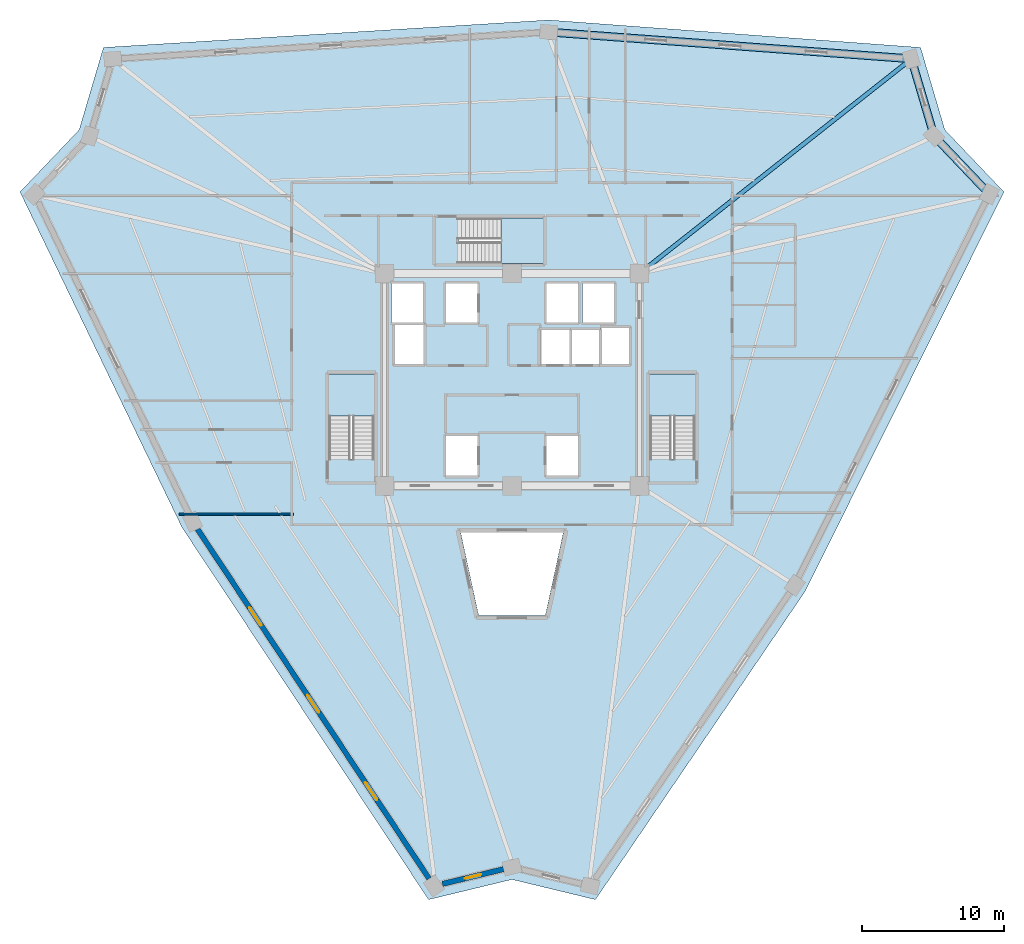
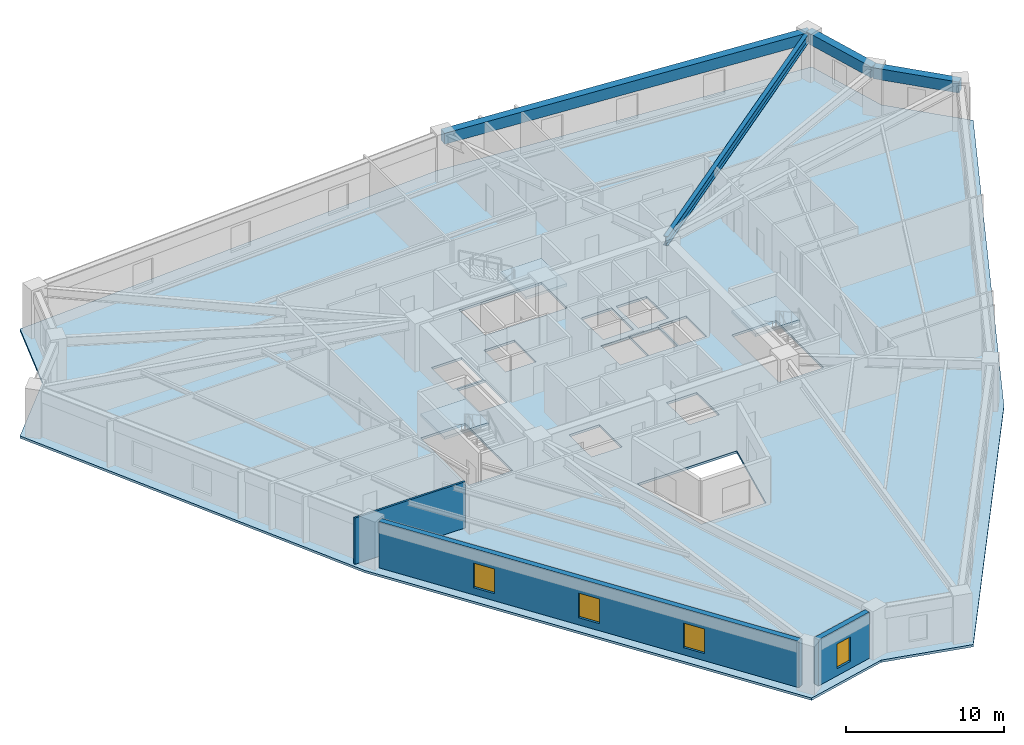
# One storey, part 2 of 8: 4 beams, 4 slabs, 4 windows, 3 walls, 4 openings, 3 elements without a shape of their own.
"""IFC4 building model written with IfcOpenShell, lengths in metres."""

from ifc_helpers import new_model, si_unit, direction, frame, frame_2d, origin, origin_2d, place, context, subcontext, project, spatial, polyline, rectangle, i_section, outline, extrude, source, transform, mapped, material, layer, layer_set, material_profile, profile_set, type_object, element, fill, aggregate, save


model = new_model("IFC4")

# Units and contexts
model_context = context("Model", 3, precision=1e-05, world=origin(), true_north=direction((0.0, 1.0)))
body_context = subcontext(model_context, "Body", "Model", "MODEL_VIEW")
ifc_project = project(units=[si_unit("LENGTHUNIT", "METRE"), si_unit("AREAUNIT", "SQUARE_METRE"), si_unit("VOLUMEUNIT", "CUBIC_METRE"), si_unit("PLANEANGLEUNIT", "RADIAN"), si_unit("MASSUNIT", "GRAM", prefix="KILO")], contexts=[model_context])

# Site, building, storey
site_placement = place(None, origin())
site = spatial("IfcSite", under=ifc_project, at=site_placement, CompositionType="ELEMENT")
building_placement = place(site_placement, origin())
building = spatial("IfcBuilding", under=site, at=building_placement, Name="Liaohun Quay Tower", CompositionType="ELEMENT")
storey_placement = place(building_placement, frame((0.0, 0.0, 209.25)))
storey = spatial("IfcBuildingStorey", under=building, at=storey_placement, Name="L54", CompositionType="ELEMENT", Elevation=209.25)

# Beams
ifc_material_1 = material(Name="Precast concrete C50", Category="concrete")
ifc_material_profile_1 = material_profile(ifc_material_1, rectangle(XDim=0.550048828125, YDim=0.85009765625, at=origin_2d()), Name="RC550x850")
ifc_profile_set_1 = profile_set([ifc_material_profile_1], Name="Precast concrete C50")
beam_type_1 = type_object("IfcBeamType", Name="BM-SPD-Z3", PredefinedType="SPANDREL", material=ifc_profile_set_1)
shared_shape_1 = source(origin(), body_context, "Body", "SweptSolid", [
    extrude(rectangle(XDim=0.550048828125, YDim=0.85009765625, at=origin_2d()), origin(), (0.0, 0.0, 1.0), 25.69482421875),
])
beam_1_placement = place(storey_placement, frame((62.593017578125, 78.56201171875, 3.14501953125), z_axis=(0.997285096748, -0.073637190356, 0.0), x_axis=(0.073637190356, 0.997285096748, 0.0)))
element("IfcBeam", 1, at=beam_1_placement, inside=storey, type_object=beam_type_1, Name="L54 Precast Spandrel Beam PC06-PC07", PredefinedType="SPANDREL", context=body_context, shape_type="MappedRepresentation", body=[
    mapped(shared_shape_1, transform((0.0, 0.0, 0.0), x_axis=(1.0, 0.0, 0.0), y_axis=(0.0, 1.0, 0.0), z_axis=(0.0, 0.0, 1.0), scale=1.0)),
])
shared_shape_2 = source(origin(), body_context, "Body", "SweptSolid", [
    extrude(rectangle(XDim=0.550048828125, YDim=0.85009765625, at=origin_2d()), origin(), (0.0, 0.0, 1.0), 5.6826171875),
])
beam_2_placement = place(storey_placement, frame((88.218017578125, 76.669921875, 3.14501953125), z_axis=(0.282610563915, -0.959234731004, 0.0), x_axis=(0.959234731004, 0.282610563915, 0.0)))
element("IfcBeam", 2, at=beam_2_placement, inside=storey, type_object=beam_type_1, Name="L54 Precast Spandrel Beam PC07-PC08", PredefinedType="SPANDREL", context=body_context, shape_type="MappedRepresentation", body=[
    mapped(shared_shape_2, transform((0.0, 0.0, 0.0), x_axis=(1.0, 0.0, 0.0), y_axis=(0.0, 1.0, 0.0), z_axis=(0.0, 0.0, 1.0), scale=1.0)),
])
shared_shape_3 = source(origin(), body_context, "Body", "SweptSolid", [
    extrude(rectangle(XDim=0.550048828125, YDim=0.85009765625, at=origin_2d()), origin(), (0.0, 0.0, 1.0), 5.67431640625),
])
beam_3_placement = place(storey_placement, frame((89.823974609375, 71.218994140625, 3.14501953125), z_axis=(0.68944456778, -0.724338448488, 0.0), x_axis=(0.724338448488, 0.68944456778, 0.0)))
element("IfcBeam", 3, at=beam_3_placement, inside=storey, type_object=beam_type_1, Name="L54 Precast Spandrel Beam PC08-PC09", PredefinedType="SPANDREL", context=body_context, shape_type="MappedRepresentation", body=[
    mapped(shared_shape_3, transform((0.0, 0.0, 0.0), x_axis=(1.0, 0.0, 0.0), y_axis=(0.0, 1.0, 0.0), z_axis=(0.0, 0.0, 1.0), scale=1.0)),
])
ifc_material_2 = material(Name="Steel Q355D", Category="steel")
ifc_material_profile_2 = material_profile(ifc_material_2, i_section(OverallWidth=0.300048828125, OverallDepth=0.699951171875, WebThickness=0.012939453125, FlangeThickness=0.02392578125, at=origin_2d()), Name="HN700x300x13x24")
ifc_profile_set_2 = profile_set([ifc_material_profile_2], Name="Steel Q355D")
beam_type_2 = type_object("IfcBeamType", Name="BM-RAD-U1", PredefinedType="BEAM", material=ifc_profile_set_2)
shared_shape_4 = source(origin(), body_context, "Body", "SweptSolid", [
    extrude(i_section(OverallWidth=0.300048828125, OverallDepth=0.699951171875, WebThickness=0.012939453125, FlangeThickness=0.02392578125, at=origin_2d()), origin(), (0.0, 0.0, 1.0), 24.138427734375),
])
beam_4_placement = place(storey_placement, frame((69.0, 61.5, 3.219970703125), z_axis=(0.785055677777, 0.619425203547, 0.0), x_axis=(-0.619425203547, 0.785055677777, 0.0)))
element("IfcBeam", 4, at=beam_4_placement, inside=storey, type_object=beam_type_2, Name="L54 Radial Primary Girder CC4-PC07", PredefinedType="BEAM", context=body_context, shape_type="MappedRepresentation", body=[
    mapped(shared_shape_4, transform((0.0, 0.0, 0.0), x_axis=(1.0, 0.0, 0.0), y_axis=(0.0, 1.0, 0.0), z_axis=(0.0, 0.0, 1.0), scale=1.0)),
])

# Stair, slab
ifc_material_3 = material(Name="Concrete C45", Category="concrete")
stair_type = type_object("IfcStairType", Name="STR-CORE-OFF", PredefinedType="HALF_TURN_STAIR", material=ifc_material_3)
stair_1_placement = place(storey_placement, origin())
stair_1 = element("IfcStair", 5, at=stair_1_placement, inside=storey, type_object=stair_type, Name="L54 Smokeproof Core Exit Stair ST-1", PredefinedType="HALF_TURN_STAIR")
ifc_layer_1 = layer(ifc_material_3, 0.199951171875, Name="Concrete C45", Category="concrete")
ifc_layer_set_1 = layer_set([ifc_layer_1], Name="Concrete C45")
slab_type_1 = type_object("IfcSlabType", Name="SLB-LND-200", PredefinedType="LANDING", material=ifc_layer_set_1)
slab_1_placement = place(storey_placement, frame((0.0, 0.0, 1.675048828125)))
slab_1 = element("IfcSlab", 6, at=slab_1_placement, type_object=slab_type_1, Name="ST-1 landing 1", PredefinedType="LANDING", context=body_context, shape_type="SweptSolid", body=[
    extrude(outline(polyline([(50.280029296875, 51.429931640625), (50.280029296875, 54.419921875), (47.0400390625, 54.419921875), (47.0400390625, 51.429931640625), (50.280029296875, 51.429931640625)])), origin(), (0.0, 0.0, 1.0), 0.199951171875),
])
aggregate(stair_1, [slab_1])

stair_2_placement = place(storey_placement, origin())
stair_2 = element("IfcStair", 7, at=stair_2_placement, inside=storey, type_object=stair_type, Name="L54 Smokeproof Core Exit Stair ST-2", PredefinedType="HALF_TURN_STAIR")
slab_2_placement = place(storey_placement, frame((0.0, 0.0, 1.675048828125)))
slab_2 = element("IfcSlab", 8, at=slab_2_placement, type_object=slab_type_1, Name="ST-2 landing 1", PredefinedType="LANDING", context=body_context, shape_type="SweptSolid", body=[
    extrude(outline(polyline([(72.9599609375, 51.429931640625), (72.9599609375, 54.419921875), (69.719970703125, 54.419921875), (69.719970703125, 51.429931640625), (72.9599609375, 51.429931640625)])), origin(), (0.0, 0.0, 1.0), 0.199951171875),
])
aggregate(stair_2, [slab_2])

stair_3_placement = place(storey_placement, origin())
stair_3 = element("IfcStair", 9, at=stair_3_placement, inside=storey, type_object=stair_type, Name="L54 Smokeproof Core Exit Stair ST-3", PredefinedType="HALF_TURN_STAIR")
slab_3_placement = place(storey_placement, frame((0.0, 0.0, 1.675048828125)))
slab_3 = element("IfcSlab", 10, at=slab_3_placement, type_object=slab_type_1, Name="ST-3 landing 1", PredefinedType="LANDING", context=body_context, shape_type="SweptSolid", body=[
    extrude(outline(polyline([(59.22998046875, 62.199951171875), (62.219970703125, 62.199951171875), (62.219970703125, 65.43994140625), (59.22998046875, 65.43994140625), (59.22998046875, 62.199951171875)])), origin(), (0.0, 0.0, 1.0), 0.199951171875),
])
aggregate(stair_3, [slab_3])

# Slab
ifc_layer_2 = layer(ifc_material_3, 0.179931640625, Name="Concrete C45", Category="concrete")
ifc_layer_set_2 = layer_set([ifc_layer_2], Name="Concrete C45")
slab_type_2 = type_object("IfcSlabType", Name="SLB-OFF-180", PredefinedType="FLOOR", material=ifc_layer_set_2)
slab_4_placement = place(storey_placement, frame((0.0, 0.0, -0.179931640625)))
element("IfcSlab", 11, at=slab_4_placement, inside=storey, type_object=slab_type_2, Name="L54 Structural Floor Slab", PredefinedType="FLOOR", context=body_context, shape_type="SweptSolid", body=[
    extrude(outline(polyline([(54.10498046875, 17.263916015625), (60.0, 18.68798828125), (65.89501953125, 17.263916015625), (80.7099609375, 39.04296875), (94.761962890625, 67.262939453125), (90.5810546875, 71.656005859375), (88.866943359375, 77.47412109375), (62.597900390625, 79.4140625), (31.133056640625, 77.47412109375), (29.4189453125, 71.656005859375), (25.238037109375, 67.262939453125), (36.69189453125, 43.54296875), (54.10498046875, 17.263916015625)]), holes=[polyline([(63.625, 43.199951171875), (56.375, 43.199951171875), (57.64404296875, 37.33203125), (62.35595703125, 37.33203125), (63.625, 43.199951171875)]), polyline([(57.56005859375, 47.2099609375), (57.56005859375, 50.030029296875), (55.340087890625, 50.030029296875), (55.340087890625, 47.2099609375), (57.56005859375, 47.2099609375)]), polyline([(50.280029296875, 54.419921875), (47.0400390625, 54.419921875), (47.0400390625, 48.409912109375), (50.280029296875, 48.409912109375), (50.280029296875, 54.419921875)]), polyline([(53.760009765625, 55.090087890625), (53.760009765625, 57.909912109375), (51.7099609375, 57.909912109375), (51.7099609375, 55.090087890625), (53.760009765625, 55.090087890625)]), polyline([(53.7099609375, 58.0400390625), (53.7099609375, 60.7900390625), (51.489990234375, 60.7900390625), (51.489990234375, 58.0400390625), (53.7099609375, 58.0400390625)]), polyline([(57.56005859375, 58.0400390625), (57.56005859375, 60.7900390625), (55.340087890625, 60.7900390625), (55.340087890625, 58.0400390625), (57.56005859375, 58.0400390625)]), polyline([(62.219970703125, 62.199951171875), (62.219970703125, 65.43994140625), (56.2099609375, 65.43994140625), (56.2099609375, 62.199951171875), (62.219970703125, 62.199951171875)]), polyline([(64.659912109375, 50.030029296875), (62.43994140625, 50.030029296875), (62.43994140625, 47.2099609375), (64.659912109375, 47.2099609375), (64.659912109375, 50.030029296875)]), polyline([(72.9599609375, 54.419921875), (69.719970703125, 54.419921875), (69.719970703125, 48.409912109375), (72.9599609375, 48.409912109375), (72.9599609375, 54.419921875)]), polyline([(64.06005859375, 55.090087890625), (64.06005859375, 57.510009765625), (61.989990234375, 57.510009765625), (61.989990234375, 55.090087890625), (64.06005859375, 55.090087890625)]), polyline([(66.159912109375, 55.090087890625), (66.159912109375, 57.510009765625), (64.090087890625, 57.510009765625), (64.090087890625, 55.090087890625), (66.159912109375, 55.090087890625)]), polyline([(68.2900390625, 55.090087890625), (68.2900390625, 57.659912109375), (66.2900390625, 57.659912109375), (66.2900390625, 55.090087890625), (68.2900390625, 55.090087890625)]), polyline([(64.659912109375, 58.0400390625), (64.659912109375, 60.7900390625), (62.43994140625, 60.7900390625), (62.43994140625, 58.0400390625), (64.659912109375, 58.0400390625)]), polyline([(67.2099609375, 58.0400390625), (67.2099609375, 60.7900390625), (64.989990234375, 60.7900390625), (64.989990234375, 58.0400390625), (67.2099609375, 58.0400390625)])]), origin(), (0.0, 0.0, 1.0), 0.179931640625),
])

# Wall, openings, windows
ifc_material_4 = material(Name="Precast concrete C50 insulated sandwich", Category="concrete")
ifc_layer_3 = layer(ifc_material_4, 0.3798828125, Name="Precast concrete C50 insulated sandwich", Category="concrete")
ifc_layer_set_3 = layer_set([ifc_layer_3], Name="Precast concrete C50 insulated sandwich")
wall_type_1 = type_object("IfcWallType", Name="WAL-EXT-Z34", PredefinedType="SOLIDWALL", material=ifc_layer_set_3)
wall_1_placement = place(storey_placement, frame((37.77197265625, 43.450927734375, 0.0), z_axis=(0.0, 0.0, 1.0), x_axis=(0.552363814136, -0.833603153085, 0.0)))
wall_1 = element("IfcWall", 12, at=wall_1_placement, inside=storey, type_object=wall_type_1, Name="L54 Brutalist Precast Pier Wall 11", PredefinedType="SOLIDWALL", context=body_context, shape_type="SweptSolid", body=[
    extrude(rectangle(XDim=29.639892578125, YDim=0.3798828125, at=frame_2d((14.81982421875, 0.0))), origin(), (0.0, 0.0, 1.0), 3.570068359375),
])
shared_shape_5 = source(origin(), body_context, "Body", "SweptSolid", [
    extrude(rectangle(XDim=1.5, YDim=1.89990234375, at=frame_2d((0.75, 0.949951171875))), frame((0.0, 0.199951171875, 0.0), z_axis=(0.0, -1.0, 0.0), x_axis=(1.0, 0.0, 0.0)), (0.0, 0.0, 1.0), 0.39990234375),
])
opening_1_placement = place(wall_1_placement, frame((6.659912109375, 0.0, 0.550048828125)))
opening_1 = element("IfcOpeningElement", 13, at=opening_1_placement, cuts=wall_1, Name="Opening W03", PredefinedType="OPENING", context=body_context, shape_type="MappedRepresentation", body=[
    mapped(shared_shape_5, transform((0.0, 0.0, 0.0), x_axis=(1.0, 0.0, 0.0), y_axis=(0.0, 1.0, 0.0), z_axis=(0.0, 0.0, 1.0), scale=1.0)),
])
opening_2_placement = place(wall_1_placement, frame((14.070068359375, 0.0, 0.550048828125)))
opening_2 = element("IfcOpeningElement", 14, at=opening_2_placement, cuts=wall_1, Name="Opening W03", PredefinedType="OPENING", context=body_context, shape_type="MappedRepresentation", body=[
    mapped(shared_shape_5, transform((0.0, 0.0, 0.0), x_axis=(1.0, 0.0, 0.0), y_axis=(0.0, 1.0, 0.0), z_axis=(0.0, 0.0, 1.0), scale=1.0)),
])
opening_3_placement = place(wall_1_placement, frame((21.47998046875, 0.0, 0.550048828125)))
opening_3 = element("IfcOpeningElement", 15, at=opening_3_placement, cuts=wall_1, Name="Opening W03", PredefinedType="OPENING", context=body_context, shape_type="MappedRepresentation", body=[
    mapped(shared_shape_5, transform((0.0, 0.0, 0.0), x_axis=(1.0, 0.0, 0.0), y_axis=(0.0, 1.0, 0.0), z_axis=(0.0, 0.0, 1.0), scale=1.0)),
])
ifc_material_5 = material(Name="Triple Low-E argon glazing in thermally broken aluminium", Category="aluminium")
window_type_1 = type_object("IfcWindowType", Name="WIN-PUN-Z3", PartitioningType="DOUBLE_PANEL_VERTICAL", PredefinedType="WINDOW", material=ifc_material_5)
shared_shape_6 = source(origin(), body_context, "Body", "SweptSolid", [
    extrude(rectangle(XDim=1.5, YDim=1.89990234375, at=frame_2d((0.75, 0.949951171875))), frame((0.0, 0.030029296875, 0.0), z_axis=(0.0, -1.0, 0.0), x_axis=(1.0, 0.0, 0.0)), (0.0, 0.0, 1.0), 0.06005859375),
])
window_1_placement = place(opening_1_placement, origin())
window_1 = element("IfcWindow", 16, at=window_1_placement, inside=storey, type_object=window_type_1, Name="L54 Recessed Cold-Climate Punched Window 11-1", OverallHeight=1.89990234375, OverallWidth=1.5, PartitioningType="DOUBLE_PANEL_VERTICAL", PredefinedType="WINDOW", context=body_context, shape_type="MappedRepresentation", body=[
    mapped(shared_shape_6, transform((0.0, 0.0, 0.0), x_axis=(1.0, 0.0, 0.0), y_axis=(0.0, 1.0, 0.0), z_axis=(0.0, 0.0, 1.0), scale=1.0)),
])
fill(opening_1, window_1)
window_2_placement = place(opening_2_placement, origin())
window_2 = element("IfcWindow", 17, at=window_2_placement, inside=storey, type_object=window_type_1, Name="L54 Recessed Cold-Climate Punched Window 11-2", OverallHeight=1.89990234375, OverallWidth=1.5, PartitioningType="DOUBLE_PANEL_VERTICAL", PredefinedType="WINDOW", context=body_context, shape_type="MappedRepresentation", body=[
    mapped(shared_shape_6, transform((0.0, 0.0, 0.0), x_axis=(1.0, 0.0, 0.0), y_axis=(0.0, 1.0, 0.0), z_axis=(0.0, 0.0, 1.0), scale=1.0)),
])
fill(opening_2, window_2)
window_3_placement = place(opening_3_placement, origin())
window_3 = element("IfcWindow", 18, at=window_3_placement, inside=storey, type_object=window_type_1, Name="L54 Recessed Cold-Climate Punched Window 11-3", OverallHeight=1.89990234375, OverallWidth=1.5, PartitioningType="DOUBLE_PANEL_VERTICAL", PredefinedType="WINDOW", context=body_context, shape_type="MappedRepresentation", body=[
    mapped(shared_shape_6, transform((0.0, 0.0, 0.0), x_axis=(1.0, 0.0, 0.0), y_axis=(0.0, 1.0, 0.0), z_axis=(0.0, 0.0, 1.0), scale=1.0)),
])
fill(opening_3, window_3)

# Wall, opening, window
wall_2_placement = place(storey_placement, frame((55.08203125, 18.3740234375, 0.0), z_axis=(0.0, 0.0, 1.0), x_axis=(0.972022121838, 0.234889324271, 0.0)))
wall_2 = element("IfcWall", 19, at=wall_2_placement, inside=storey, type_object=wall_type_1, Name="L54 Brutalist Precast Pier Wall 12", PredefinedType="SOLIDWALL", context=body_context, shape_type="SweptSolid", body=[
    extrude(rectangle(XDim=4.4443359375, YDim=0.3798828125, at=frame_2d((2.22216796875, 0.0))), origin(), (0.0, 0.0, 1.0), 3.570068359375),
])
shared_shape_7 = source(origin(), body_context, "Body", "SweptSolid", [
    extrude(rectangle(XDim=1.199951171875, YDim=1.89990234375, at=frame_2d((0.60009765625, 0.949951171875))), frame((0.0, 0.199951171875, 0.0), z_axis=(0.0, -1.0, 0.0), x_axis=(1.0, 0.0, 0.0)), (0.0, 0.0, 1.0), 0.39990234375),
])
opening_4_placement = place(wall_2_placement, frame((1.6220703125, 0.0, 0.550048828125)))
opening_4 = element("IfcOpeningElement", 20, at=opening_4_placement, cuts=wall_2, Name="Opening W05", PredefinedType="OPENING", context=body_context, shape_type="MappedRepresentation", body=[
    mapped(shared_shape_7, transform((0.0, 0.0, 0.0), x_axis=(1.0, 0.0, 0.0), y_axis=(0.0, 1.0, 0.0), z_axis=(0.0, 0.0, 1.0), scale=1.0)),
])
ifc_material_6 = material(Name="Triple Low-E corner notch glazing", Category="glass")
window_type_2 = type_object("IfcWindowType", Name="WIN-NOTCH", PartitioningType="SINGLE_PANEL", PredefinedType="WINDOW", material=ifc_material_6)
shared_shape_8 = source(origin(), body_context, "Body", "SweptSolid", [
    extrude(rectangle(XDim=1.199951171875, YDim=1.89990234375, at=frame_2d((0.60009765625, 0.949951171875))), frame((0.0, 0.030029296875, 0.0), z_axis=(0.0, -1.0, 0.0), x_axis=(1.0, 0.0, 0.0)), (0.0, 0.0, 1.0), 0.06005859375),
])
window_4_placement = place(opening_4_placement, origin())
window_4 = element("IfcWindow", 21, at=window_4_placement, inside=storey, type_object=window_type_2, Name="L54 Corner Notch Window W05-12", OverallHeight=1.89990234375, OverallWidth=1.199951171875, PartitioningType="SINGLE_PANEL", PredefinedType="WINDOW", context=body_context, shape_type="MappedRepresentation", body=[
    mapped(shared_shape_8, transform((0.0, 0.0, 0.0), x_axis=(1.0, 0.0, 0.0), y_axis=(0.0, 1.0, 0.0), z_axis=(0.0, 0.0, 1.0), scale=1.0)),
])
fill(opening_4, window_4)

# Wall
ifc_material_7 = material(Name="Gypsum board on twin steel studs", Category="steel")
ifc_layer_4 = layer(ifc_material_7, 0.139892578125, Name="Gypsum board on twin steel studs", Category="steel")
ifc_layer_set_4 = layer_set([ifc_layer_4], Name="Gypsum board on twin steel studs")
wall_type_2 = type_object("IfcWallType", Name="WAL-PRT-OFF", PredefinedType="PARTITIONING", material=ifc_layer_set_4)
wall_3_placement = place(storey_placement, frame((44.5400390625, 44.5, 0.0), z_axis=(0.0, 0.0, 1.0), x_axis=(-1.0, 0.0, 0.0)))
element("IfcWall", 22, at=wall_3_placement, inside=storey, type_object=wall_type_2, Name="L54 Interior Partition Wall 042", PredefinedType="PARTITIONING", context=body_context, shape_type="SweptSolid", body=[
    extrude(rectangle(XDim=8.06591796875, YDim=0.139892578125, at=frame_2d((4.032958984375, 0.0))), origin(), (0.0, 0.0, 1.0), 3.570068359375),
])

save(model, "model.ifc")
